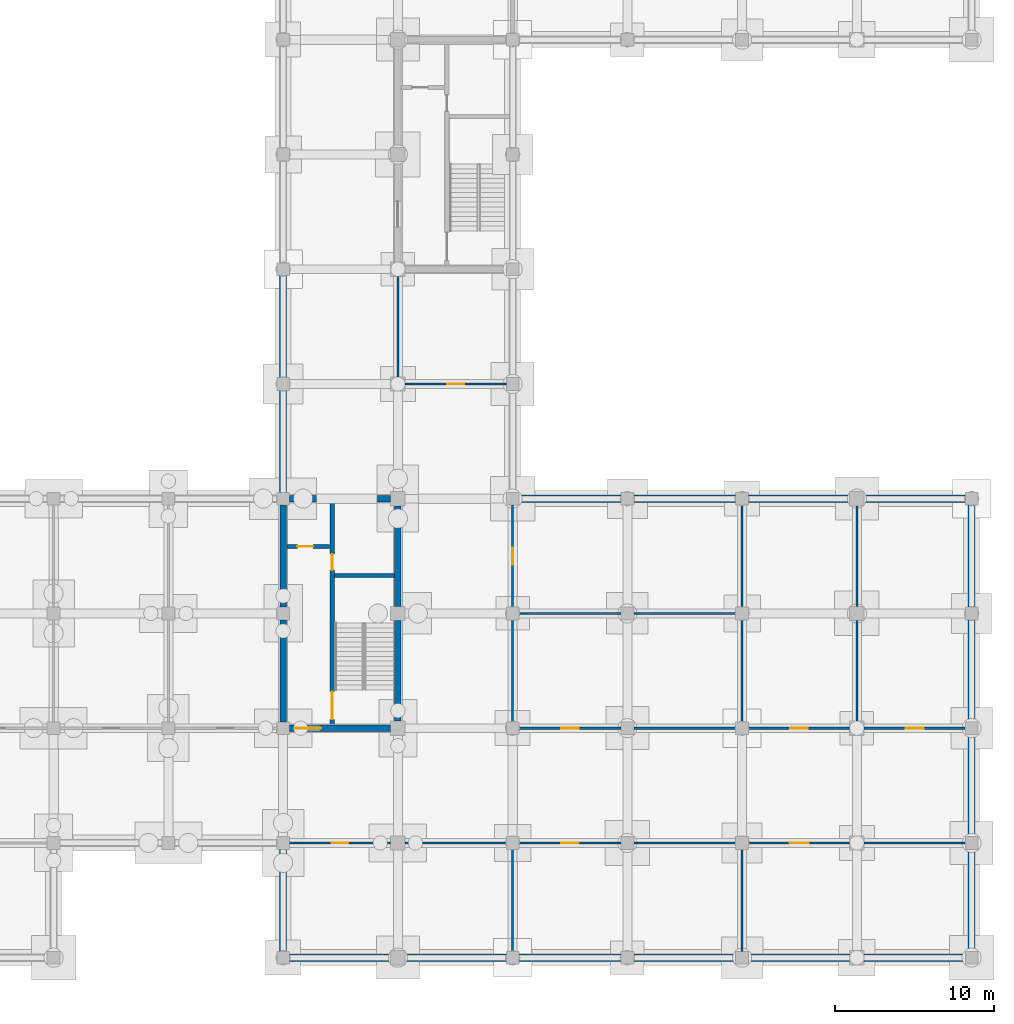
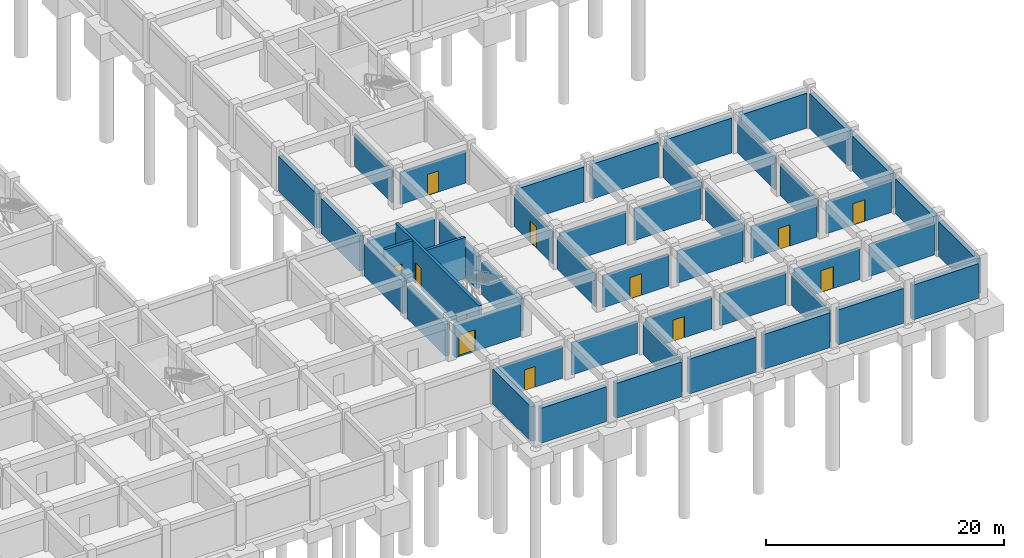
# One storey, part 21 of 25: 48 walls, 12 doors, 12 openings.
"""IFC4 building model written with IfcOpenShell, lengths in metres."""

from ifc_helpers import new_model, si_unit, direction, frame, frame_2d, origin, place, context, subcontext, project, spatial, rectangle, extrude, material, layer, layer_set, type_object, element, fill, save


model = new_model("IFC4")

# Units and contexts
model_context = context("Model", 3, precision=1e-05, world=origin(), true_north=direction((0.0, 1.0)))
body_context = subcontext(model_context, "Body", "Model", "MODEL_VIEW")
ifc_project = project(units=[si_unit("LENGTHUNIT", "METRE"), si_unit("AREAUNIT", "SQUARE_METRE"), si_unit("VOLUMEUNIT", "CUBIC_METRE"), si_unit("PLANEANGLEUNIT", "RADIAN"), si_unit("MASSUNIT", "GRAM", prefix="KILO")], contexts=[model_context])

# Site, building, storey
site_placement = place(None, origin())
site = spatial("IfcSite", under=ifc_project, at=site_placement, CompositionType="ELEMENT")
building_placement = place(site_placement, origin())
building = spatial("IfcBuilding", under=site, at=building_placement, Name="Cendaluz Park School", CompositionType="ELEMENT")
storey_placement = place(building_placement, frame((0.0, 0.0, -4.5)))
storey = spatial("IfcBuildingStorey", under=building, at=storey_placement, Name="B1", CompositionType="ELEMENT", Elevation=-4.5)

# Wall, openings, doors
ifc_material_1 = material(Name="Concrete C40/50", Category="concrete")
ifc_layer_1 = layer(ifc_material_1, 0.280029296875)
ifc_layer_set_1 = layer_set([ifc_layer_1], Name="Concrete C40/50")
wall_type_1 = type_object("IfcWallType", Name="W-FW28", PredefinedType="SHEAR", material=ifc_layer_set_1)
wall_1_placement = place(storey_placement, frame((132.679931640625, 14.60009765625, 0.0), z_axis=(0.0, 0.0, 1.0), x_axis=(0.0, 1.0, 0.0)))
wall_1 = element("IfcWall", 1, at=wall_1_placement, inside=storey, type_object=wall_type_1, Name="WL-BA-BV9", PredefinedType="SHEAR", context=body_context, shape_type="SweptSolid", body=[
    extrude(rectangle(XDim=14.0, YDim=0.280029296875, at=frame_2d((7.0, 0.0))), origin(), (0.0, 0.0, 1.0), 4.199951171875),
])
opening_1_placement = place(wall_1_placement, frame((0.35009765625, 0.0, 0.0)))
opening_1 = element("IfcOpeningElement", 2, at=opening_1_placement, cuts=wall_1, Name="Opening DST-03", PredefinedType="OPENING", context=body_context, shape_type="SweptSolid", body=[
    extrude(rectangle(XDim=1.75, YDim=2.14990234375, at=frame_2d((0.875, 1.074951171875))), frame((0.0, 0.152099609375, 0.0), z_axis=(0.0, -1.0, 0.0), x_axis=(1.0, 0.0, 0.0)), (0.0, 0.0, 1.0), 0.303955078125),
])
opening_2_placement = place(wall_1_placement, frame((9.719970703125, 0.0, 0.0)))
opening_2 = element("IfcOpeningElement", 3, at=opening_2_placement, cuts=wall_1, Name="Opening DFC-01", PredefinedType="OPENING", context=body_context, shape_type="SweptSolid", body=[
    extrude(rectangle(XDim=1.0, YDim=2.14990234375, at=frame_2d((0.5, 1.074951171875))), frame((0.0, 0.152099609375, 0.0), z_axis=(0.0, -1.0, 0.0), x_axis=(1.0, 0.0, 0.0)), (0.0, 0.0, 1.0), 0.303955078125),
])
ifc_material_2 = material(Name="Solid Core Hardwood", Category="wood")
door_type_1 = type_object("IfcDoorType", Name="DFC-01", OperationType="NOTDEFINED", PredefinedType="DOOR", material=ifc_material_2)
door_1_placement = place(opening_2_placement, frame((1.0, 0.0, 0.0), z_axis=(0.0, 0.0, 1.0), x_axis=(-1.0, 0.0, 0.0)))
door_1 = element("IfcDoor", 4, at=door_1_placement, inside=storey, type_object=door_type_1, Name="D-B1-025", OperationType="SINGLE_SWING_LEFT", OverallHeight=2.14990234375, OverallWidth=1.0, PredefinedType="DOOR", context=body_context, shape_type="SweptSolid", body=[
    extrude(rectangle(XDim=1.0, YDim=2.14990234375, at=frame_2d((0.5, 1.074951171875))), frame((0.0, 0.02490234375, 0.0), z_axis=(0.0, -1.0, 0.0), x_axis=(1.0, 0.0, 0.0)), (0.0, 0.0, 1.0), 0.050048828125),
])
fill(opening_2, door_1)
door_type_2 = type_object("IfcDoorType", Name="DST-03", OperationType="DOUBLE_DOOR_SINGLE_SWING", PredefinedType="DOOR", material=ifc_material_2)
door_2_placement = place(opening_1_placement, frame((1.75, 0.0, 0.0), z_axis=(0.0, 0.0, 1.0), x_axis=(-1.0, 0.0, 0.0)))
door_2 = element("IfcDoor", 5, at=door_2_placement, inside=storey, type_object=door_type_2, Name="D-B1-024", OperationType="DOUBLE_DOOR_SINGLE_SWING", OverallHeight=2.14990234375, OverallWidth=1.75, PredefinedType="DOOR", context=body_context, shape_type="SweptSolid", body=[
    extrude(rectangle(XDim=1.75, YDim=2.14990234375, at=frame_2d((0.875, 1.074951171875))), frame((0.0, 0.02490234375, 0.0), z_axis=(0.0, -1.0, 0.0), x_axis=(1.0, 0.0, 0.0)), (0.0, 0.0, 1.0), 0.050048828125),
])
fill(opening_1, door_2)

# Wall
wall_2_placement = place(storey_placement, frame((132.820068359375, 23.97998046875, 0.0), z_axis=(0.0, 0.0, 1.0), x_axis=(1.0, 0.0, 0.0)))
element("IfcWall", 6, at=wall_2_placement, inside=storey, type_object=wall_type_1, Name="WL-BA-BW0", PredefinedType="SHEAR", context=body_context, shape_type="SweptSolid", body=[
    extrude(rectangle(XDim=3.780029296875, YDim=0.280029296875, at=frame_2d((1.89013671875, 0.0))), origin(), (0.0, 0.0, 1.0), 4.199951171875),
])

# Wall, opening, door
wall_3_placement = place(storey_placement, frame((129.840087890625, 25.800048828125, 0.0), z_axis=(0.0, 0.0, 1.0), x_axis=(1.0, 0.0, 0.0)))
wall_3 = element("IfcWall", 7, at=wall_3_placement, inside=storey, type_object=wall_type_1, Name="WL-BA-BW1", PredefinedType="SHEAR", context=body_context, shape_type="SweptSolid", body=[
    extrude(rectangle(XDim=2.679931640625, YDim=0.280029296875, at=frame_2d((1.33984375, 0.0))), origin(), (0.0, 0.0, 1.0), 4.199951171875),
])
opening_3_placement = place(wall_3_placement, frame((0.64990234375, 0.0, 0.0)))
opening_3 = element("IfcOpeningElement", 8, at=opening_3_placement, cuts=wall_3, Name="Opening DFC-01", PredefinedType="OPENING", context=body_context, shape_type="SweptSolid", body=[
    extrude(rectangle(XDim=1.0, YDim=2.14990234375, at=frame_2d((0.5, 1.074951171875))), frame((0.0, 0.152099609375, 0.0), z_axis=(0.0, -1.0, 0.0), x_axis=(1.0, 0.0, 0.0)), (0.0, 0.0, 1.0), 0.303955078125),
])
door_3_placement = place(opening_3_placement, frame((1.0, 0.0, 0.0), z_axis=(0.0, 0.0, 1.0), x_axis=(-1.0, 0.0, 0.0)))
door_3 = element("IfcDoor", 9, at=door_3_placement, inside=storey, type_object=door_type_1, Name="D-B1-026", OperationType="SINGLE_SWING_RIGHT", OverallHeight=2.14990234375, OverallWidth=1.0, PredefinedType="DOOR", context=body_context, shape_type="SweptSolid", body=[
    extrude(rectangle(XDim=1.0, YDim=2.14990234375, at=frame_2d((0.5, 1.074951171875))), frame((0.0, 0.02490234375, 0.0), z_axis=(0.0, -1.0, 0.0), x_axis=(1.0, 0.0, 0.0)), (0.0, 0.0, 1.0), 0.050048828125),
])
fill(opening_3, door_3)

# Walls
ifc_layer_2 = layer(ifc_material_1, 0.449951171875)
ifc_layer_set_2 = layer_set([ifc_layer_2], Name="Concrete C40/50")
wall_type_2 = type_object("IfcWallType", Name="W-RT45", PredefinedType="SOLIDWALL", material=ifc_layer_set_2)
wall_4_placement = place(storey_placement, frame((130.0, 0.0, 0.0), z_axis=(0.0, 0.0, 1.0), x_axis=(1.0, 0.0, 0.0)))
element("IfcWall", 10, at=wall_4_placement, inside=storey, type_object=wall_type_2, Name="WL-BA-AI1", PredefinedType="SOLIDWALL", context=body_context, shape_type="SweptSolid", body=[
    extrude(rectangle(XDim=6.35009765625, YDim=0.449951171875, at=frame_2d((3.175048828125, 0.0))), origin(), (0.0, 0.0, 1.0), 3.570068359375),
])
for number, where, z_axis, x_axis, name in (
    (11, (129.60009765625, 0.39990234375, 0.0), (0.0, 0.0, 1.0), (0.0, 1.0, 0.0), "WL-BA-AI2"),
    (12, (129.60009765625, 29.199951171875, 0.0), (0.0, 0.0, 1.0), (0.0, 1.0, 0.0), "WL-BA-AI3"),
    (13, (129.60009765625, 36.39990234375, 0.0), (0.0, 0.0, 1.0), (0.0, 1.0, 0.0), "WL-BA-AI4"),
):
    element("IfcWall", number, at=place(storey_placement, frame(where, z_axis=z_axis, x_axis=x_axis)), inside=storey, type_object=wall_type_2, Name=name, PredefinedType="SOLIDWALL", context=body_context, shape_type="SweptSolid", body=[
        extrude(rectangle(XDim=6.400146484375, YDim=0.449951171875, at=frame_2d((3.2001953125, 0.0))), origin(), (0.0, 0.0, 1.0), 3.570068359375),
    ])
wall_5_placement = place(storey_placement, frame((137.25, 0.0, 0.0), z_axis=(0.0, 0.0, 1.0), x_axis=(1.0, 0.0, 0.0)))
element("IfcWall", 14, at=wall_5_placement, inside=storey, type_object=wall_type_2, Name="WL-BA-AJ6", PredefinedType="SOLIDWALL", context=body_context, shape_type="SweptSolid", body=[
    extrude(rectangle(XDim=6.35009765625, YDim=0.449951171875, at=frame_2d((3.175048828125, 0.0))), origin(), (0.0, 0.0, 1.0), 3.570068359375),
])
for number, where, z_axis, x_axis, name in (
    (15, (144.39990234375, 0.0, 0.0), (0.0, 0.0, 1.0), (1.0, 0.0, 0.0), "WL-BA-AK0"),
    (16, (144.39990234375, 28.800048828125, 0.0), (0.0, 0.0, 1.0), (1.0, 0.0, 0.0), "WL-BA-AK1"),
):
    element("IfcWall", number, at=place(storey_placement, frame(where, z_axis=z_axis, x_axis=x_axis)), inside=storey, type_object=wall_type_2, Name=name, PredefinedType="SOLIDWALL", context=body_context, shape_type="SweptSolid", body=[
        extrude(rectangle(XDim=6.400146484375, YDim=0.449951171875, at=frame_2d((3.2001953125, 0.0))), origin(), (0.0, 0.0, 1.0), 3.570068359375),
    ])
for number, where, z_axis, x_axis, name in (
    (17, (151.60009765625, 0.0, 0.0), (0.0, 0.0, 1.0), (1.0, 0.0, 0.0), "WL-BA-AK4"),
    (18, (151.60009765625, 28.800048828125, 0.0), (0.0, 0.0, 1.0), (1.0, 0.0, 0.0), "WL-BA-AK5"),
):
    element("IfcWall", number, at=place(storey_placement, frame(where, z_axis=z_axis, x_axis=x_axis)), inside=storey, type_object=wall_type_2, Name=name, PredefinedType="SOLIDWALL", context=body_context, shape_type="SweptSolid", body=[
        extrude(rectangle(XDim=6.39990234375, YDim=0.449951171875, at=frame_2d((3.199951171875, 0.0))), origin(), (0.0, 0.0, 1.0), 3.570068359375),
    ])
for number, where, z_axis, x_axis, name in (
    (19, (158.800048828125, 0.0, 0.0), (0.0, 0.0, 1.0), (1.0, 0.0, 0.0), "WL-BA-AK8"),
    (20, (158.800048828125, 28.800048828125, 0.0), (0.0, 0.0, 1.0), (1.0, 0.0, 0.0), "WL-BA-AK9"),
    (21, (166.050048828125, 0.0, 0.0), (0.0, 0.0, 1.0), (1.0, 0.0, 0.0), "WL-BA-AL2"),
):
    element("IfcWall", number, at=place(storey_placement, frame(where, z_axis=z_axis, x_axis=x_axis)), inside=storey, type_object=wall_type_2, Name=name, PredefinedType="SOLIDWALL", context=body_context, shape_type="SweptSolid", body=[
        extrude(rectangle(XDim=6.349853515625, YDim=0.449951171875, at=frame_2d((3.1748046875, 0.0))), origin(), (0.0, 0.0, 1.0), 3.570068359375),
    ])
wall_6_placement = place(storey_placement, frame((172.800048828125, 0.39990234375, 0.0), z_axis=(0.0, 0.0, 1.0), x_axis=(0.0, 1.0, 0.0)))
element("IfcWall", 22, at=wall_6_placement, inside=storey, type_object=wall_type_2, Name="WL-BA-AL3", PredefinedType="SOLIDWALL", context=body_context, shape_type="SweptSolid", body=[
    extrude(rectangle(XDim=6.400146484375, YDim=0.449951171875, at=frame_2d((3.2001953125, 0.0))), origin(), (0.0, 0.0, 1.0), 3.570068359375),
])
for number, where, z_axis, x_axis, name in (
    (23, (172.800048828125, 7.60009765625, 0.0), (0.0, 0.0, 1.0), (0.0, 1.0, 0.0), "WL-BA-AL4"),
    (24, (172.800048828125, 14.800048828125, 0.0), (0.0, 0.0, 1.0), (0.0, 1.0, 0.0), "WL-BA-AL5"),
):
    element("IfcWall", number, at=place(storey_placement, frame(where, z_axis=z_axis, x_axis=x_axis)), inside=storey, type_object=wall_type_2, Name=name, PredefinedType="SOLIDWALL", context=body_context, shape_type="SweptSolid", body=[
        extrude(rectangle(XDim=6.39990234375, YDim=0.449951171875, at=frame_2d((3.199951171875, 0.0))), origin(), (0.0, 0.0, 1.0), 3.570068359375),
    ])
wall_7_placement = place(storey_placement, frame((166.050048828125, 28.800048828125, 0.0), z_axis=(0.0, 0.0, 1.0), x_axis=(1.0, 0.0, 0.0)))
element("IfcWall", 25, at=wall_7_placement, inside=storey, type_object=wall_type_2, Name="WL-BA-AL6", PredefinedType="SOLIDWALL", context=body_context, shape_type="SweptSolid", body=[
    extrude(rectangle(XDim=6.349853515625, YDim=0.449951171875, at=frame_2d((3.1748046875, 0.0))), origin(), (0.0, 0.0, 1.0), 3.570068359375),
])
wall_8_placement = place(storey_placement, frame((172.800048828125, 22.0, 0.0), z_axis=(0.0, 0.0, 1.0), x_axis=(0.0, 1.0, 0.0)))
element("IfcWall", 26, at=wall_8_placement, inside=storey, type_object=wall_type_2, Name="WL-BA-AL7", PredefinedType="SOLIDWALL", context=body_context, shape_type="SweptSolid", body=[
    extrude(rectangle(XDim=6.39990234375, YDim=0.449951171875, at=frame_2d((3.199951171875, 0.0))), origin(), (0.0, 0.0, 1.0), 3.570068359375),
])
ifc_layer_3 = layer(ifc_material_1, 0.419921875)
ifc_layer_set_3 = layer_set([ifc_layer_3], Name="Concrete C40/50")
wall_type_3 = type_object("IfcWallType", Name="W-SH42", PredefinedType="SHEAR", material=ifc_layer_set_3)
for number, where, z_axis, x_axis, name in (
    (27, (129.60009765625, 14.800048828125, 0.0), (0.0, 0.0, 1.0), (0.0, 1.0, 0.0), "WL-BA-BV3"),
    (28, (129.60009765625, 22.0, 0.0), (0.0, 0.0, 1.0), (0.0, 1.0, 0.0), "WL-BA-BV4"),
):
    element("IfcWall", number, at=place(storey_placement, frame(where, z_axis=z_axis, x_axis=x_axis)), inside=storey, type_object=wall_type_3, Name=name, PredefinedType="SHEAR", context=body_context, shape_type="SweptSolid", body=[
        extrude(rectangle(XDim=6.39990234375, YDim=0.419921875, at=frame_2d((3.199951171875, 0.0))), origin(), (0.0, 0.0, 1.0), 3.300048828125),
    ])
wall_9_placement = place(storey_placement, frame((136.800048828125, 14.85009765625, 0.0), z_axis=(0.0, 0.0, 1.0), x_axis=(0.0, 1.0, 0.0)))
element("IfcWall", 29, at=wall_9_placement, inside=storey, type_object=wall_type_3, Name="WL-BA-BV5", PredefinedType="SHEAR", context=body_context, shape_type="SweptSolid", body=[
    extrude(rectangle(XDim=6.2998046875, YDim=0.419921875, at=frame_2d((3.14990234375, 0.0))), origin(), (0.0, 0.0, 1.0), 3.300048828125),
])
wall_10_placement = place(storey_placement, frame((136.800048828125, 22.050048828125, 0.0), z_axis=(0.0, 0.0, 1.0), x_axis=(0.0, 1.0, 0.0)))
element("IfcWall", 30, at=wall_10_placement, inside=storey, type_object=wall_type_3, Name="WL-BA-BV6", PredefinedType="SHEAR", context=body_context, shape_type="SweptSolid", body=[
    extrude(rectangle(XDim=6.300048828125, YDim=0.419921875, at=frame_2d((3.14990234375, 0.0))), origin(), (0.0, 0.0, 1.0), 3.300048828125),
])

# Wall, opening, door
wall_11_placement = place(storey_placement, frame((130.0, 14.39990234375, 0.0), z_axis=(0.0, 0.0, 1.0), x_axis=(1.0, 0.0, 0.0)))
wall_11 = element("IfcWall", 31, at=wall_11_placement, inside=storey, type_object=wall_type_3, Name="WL-BA-BV7", PredefinedType="SHEAR", context=body_context, shape_type="SweptSolid", body=[
    extrude(rectangle(XDim=6.35009765625, YDim=0.419921875, at=frame_2d((3.175048828125, 0.0))), origin(), (0.0, 0.0, 1.0), 3.300048828125),
])
opening_4_placement = place(wall_11_placement, frame((0.3798828125, 0.0, 0.0)))
opening_4 = element("IfcOpeningElement", 32, at=opening_4_placement, cuts=wall_11, Name="Opening DLB-01", PredefinedType="OPENING", context=body_context, shape_type="SweptSolid", body=[
    extrude(rectangle(XDim=1.60009765625, YDim=2.199951171875, at=frame_2d((0.800048828125, 1.10009765625))), frame((0.0, 0.221923828125, 0.0), z_axis=(0.0, -1.0, 0.0), x_axis=(1.0, 0.0, 0.0)), (0.0, 0.0, 1.0), 0.44384765625),
])
door_type_3 = type_object("IfcDoorType", Name="DLB-01", OperationType="DOUBLE_DOOR_SINGLE_SWING", PredefinedType="DOOR", material=ifc_material_2)
door_4_placement = place(opening_4_placement, origin())
door_4 = element("IfcDoor", 33, at=door_4_placement, inside=storey, type_object=door_type_3, Name="D-B1-023", OperationType="DOUBLE_DOOR_SINGLE_SWING", OverallHeight=2.199951171875, OverallWidth=1.60009765625, PredefinedType="DOOR", context=body_context, shape_type="SweptSolid", body=[
    extrude(rectangle(XDim=1.60009765625, YDim=2.199951171875, at=frame_2d((0.800048828125, 1.10009765625))), frame((0.0, 0.02490234375, 0.0), z_axis=(0.0, -1.0, 0.0), x_axis=(1.0, 0.0, 0.0)), (0.0, 0.0, 1.0), 0.050048828125),
])
fill(opening_4, door_4)

# Walls
wall_12_placement = place(storey_placement, frame((130.0, 28.800048828125, 0.0), z_axis=(0.0, 0.0, 1.0), x_axis=(1.0, 0.0, 0.0)))
element("IfcWall", 34, at=wall_12_placement, inside=storey, type_object=wall_type_3, Name="WL-BA-BV8", PredefinedType="SHEAR", context=body_context, shape_type="SweptSolid", body=[
    extrude(rectangle(XDim=6.35009765625, YDim=0.419921875, at=frame_2d((3.175048828125, 0.0))), origin(), (0.0, 0.0, 1.0), 3.300048828125),
])
ifc_material_3 = material(Name="Gypsum Plasterboard on Cold-Formed Stud", Category="gypsum")
ifc_layer_4 = layer(ifc_material_3, 0.139892578125)
ifc_layer_set_4 = layer_set([ifc_layer_4], Name="Gypsum Plasterboard on Cold-Formed Stud")
wall_type_4 = type_object("IfcWallType", Name="W-ST14", PredefinedType="PARTITIONING", material=ifc_layer_set_4)
wall_13_placement = place(storey_placement, frame((144.39990234375, 21.60009765625, 0.0), z_axis=(0.0, 0.0, 1.0), x_axis=(1.0, 0.0, 0.0)))
element("IfcWall", 35, at=wall_13_placement, inside=storey, type_object=wall_type_4, Name="WL-BA-CH8", PredefinedType="PARTITIONING", context=body_context, shape_type="SweptSolid", body=[
    extrude(rectangle(XDim=6.400146484375, YDim=0.139892578125, at=frame_2d((3.2001953125, 0.0))), origin(), (0.0, 0.0, 1.0), 3.300048828125),
])

# Wall, opening, door
wall_14_placement = place(storey_placement, frame((144.0, 22.0, 0.0), z_axis=(0.0, 0.0, 1.0), x_axis=(0.0, 1.0, 0.0)))
wall_14 = element("IfcWall", 36, at=wall_14_placement, inside=storey, type_object=wall_type_4, Name="WL-BA-CH9", PredefinedType="PARTITIONING", context=body_context, shape_type="SweptSolid", body=[
    extrude(rectangle(XDim=6.39990234375, YDim=0.139892578125, at=frame_2d((3.199951171875, 0.0))), origin(), (0.0, 0.0, 1.0), 3.300048828125),
])
opening_5_placement = place(wall_14_placement, frame((2.669921875, 0.0, 0.0)))
opening_5 = element("IfcOpeningElement", 37, at=opening_5_placement, cuts=wall_14, Name="Opening DCL-04", PredefinedType="OPENING", context=body_context, shape_type="SweptSolid", body=[
    extrude(rectangle(XDim=1.06005859375, YDim=2.159912109375, at=frame_2d((0.530029296875, 1.080078125))), frame((0.0, 0.08203125, 0.0), z_axis=(0.0, -1.0, 0.0), x_axis=(1.0, 0.0, 0.0)), (0.0, 0.0, 1.0), 0.163818359375),
])
door_type_4 = type_object("IfcDoorType", Name="DCL-04", OperationType="NOTDEFINED", PredefinedType="DOOR", material=ifc_material_2)
door_5_placement = place(opening_5_placement, frame((1.06005859375, 0.0, 0.0), z_axis=(0.0, 0.0, 1.0), x_axis=(-1.0, 0.0, 0.0)))
door_5 = element("IfcDoor", 38, at=door_5_placement, inside=storey, type_object=door_type_4, Name="D-B1-058", OperationType="SINGLE_SWING_LEFT", OverallHeight=2.159912109375, OverallWidth=1.06005859375, PredefinedType="DOOR", context=body_context, shape_type="SweptSolid", body=[
    extrude(rectangle(XDim=1.06005859375, YDim=2.159912109375, at=frame_2d((0.530029296875, 1.080078125))), frame((0.0, 0.02490234375, 0.0), z_axis=(0.0, -1.0, 0.0), x_axis=(1.0, 0.0, 0.0)), (0.0, 0.0, 1.0), 0.050048828125),
])
fill(opening_5, door_5)

# Walls
for number, where, z_axis, x_axis, name in (
    (39, (151.60009765625, 21.60009765625, 0.0), (0.0, 0.0, 1.0), (1.0, 0.0, 0.0), "WL-BA-CI0"),
    (40, (158.39990234375, 22.0, 0.0), (0.0, 0.0, 1.0), (0.0, 1.0, 0.0), "WL-BA-CI1"),
):
    element("IfcWall", number, at=place(storey_placement, frame(where, z_axis=z_axis, x_axis=x_axis)), inside=storey, type_object=wall_type_4, Name=name, PredefinedType="PARTITIONING", context=body_context, shape_type="SweptSolid", body=[
        extrude(rectangle(XDim=6.39990234375, YDim=0.139892578125, at=frame_2d((3.199951171875, 0.0))), origin(), (0.0, 0.0, 1.0), 3.300048828125),
    ])

# Wall, opening, door
wall_15_placement = place(storey_placement, frame((158.800048828125, 14.39990234375, 0.0), z_axis=(0.0, 0.0, 1.0), x_axis=(1.0, 0.0, 0.0)))
wall_15 = element("IfcWall", 41, at=wall_15_placement, inside=storey, type_object=wall_type_4, Name="WL-BA-CI2", PredefinedType="PARTITIONING", context=body_context, shape_type="SweptSolid", body=[
    extrude(rectangle(XDim=6.349853515625, YDim=0.139892578125, at=frame_2d((3.1748046875, 0.0))), origin(), (0.0, 0.0, 1.0), 3.300048828125),
])
opening_6_placement = place(wall_15_placement, frame((2.635009765625, 0.0, 0.0)))
opening_6 = element("IfcOpeningElement", 42, at=opening_6_placement, cuts=wall_15, Name="Opening DCL-05", PredefinedType="OPENING", context=body_context, shape_type="SweptSolid", body=[
    extrude(rectangle(XDim=1.080078125, YDim=2.179931640625, at=frame_2d((0.5400390625, 1.08984375))), frame((0.0, 0.08203125, 0.0), z_axis=(0.0, -1.0, 0.0), x_axis=(1.0, 0.0, 0.0)), (0.0, 0.0, 1.0), 0.163818359375),
])
door_type_5 = type_object("IfcDoorType", Name="DCL-05", OperationType="NOTDEFINED", PredefinedType="DOOR", material=ifc_material_2)
door_6_placement = place(opening_6_placement, origin())
door_6 = element("IfcDoor", 43, at=door_6_placement, inside=storey, type_object=door_type_5, Name="D-B1-059", OperationType="SINGLE_SWING_RIGHT", OverallHeight=2.179931640625, OverallWidth=1.080078125, PredefinedType="DOOR", context=body_context, shape_type="SweptSolid", body=[
    extrude(rectangle(XDim=1.080078125, YDim=2.179931640625, at=frame_2d((0.5400390625, 1.08984375))), frame((0.0, 0.02490234375, 0.0), z_axis=(0.0, -1.0, 0.0), x_axis=(1.0, 0.0, 0.0)), (0.0, 0.0, 1.0), 0.050048828125),
])
fill(opening_6, door_6)

# Walls
wall_16_placement = place(storey_placement, frame((158.39990234375, 14.800048828125, 0.0), z_axis=(0.0, 0.0, 1.0), x_axis=(0.0, 1.0, 0.0)))
element("IfcWall", 44, at=wall_16_placement, inside=storey, type_object=wall_type_4, Name="WL-BA-CI3", PredefinedType="PARTITIONING", context=body_context, shape_type="SweptSolid", body=[
    extrude(rectangle(XDim=6.39990234375, YDim=0.139892578125, at=frame_2d((3.199951171875, 0.0))), origin(), (0.0, 0.0, 1.0), 3.300048828125),
])
wall_17_placement = place(storey_placement, frame((165.60009765625, 14.85009765625, 0.0), z_axis=(0.0, 0.0, 1.0), x_axis=(0.0, 1.0, 0.0)))
element("IfcWall", 45, at=wall_17_placement, inside=storey, type_object=wall_type_4, Name="WL-BA-CI4", PredefinedType="PARTITIONING", context=body_context, shape_type="SweptSolid", body=[
    extrude(rectangle(XDim=6.2998046875, YDim=0.139892578125, at=frame_2d((3.14990234375, 0.0))), origin(), (0.0, 0.0, 1.0), 3.300048828125),
])
wall_18_placement = place(storey_placement, frame((165.60009765625, 22.050048828125, 0.0), z_axis=(0.0, 0.0, 1.0), x_axis=(0.0, 1.0, 0.0)))
element("IfcWall", 46, at=wall_18_placement, inside=storey, type_object=wall_type_4, Name="WL-BA-CI5", PredefinedType="PARTITIONING", context=body_context, shape_type="SweptSolid", body=[
    extrude(rectangle(XDim=6.300048828125, YDim=0.139892578125, at=frame_2d((3.14990234375, 0.0))), origin(), (0.0, 0.0, 1.0), 3.300048828125),
])

# Wall, opening, door
wall_19_placement = place(storey_placement, frame((166.050048828125, 14.39990234375, 0.0), z_axis=(0.0, 0.0, 1.0), x_axis=(1.0, 0.0, 0.0)))
wall_19 = element("IfcWall", 47, at=wall_19_placement, inside=storey, type_object=wall_type_4, Name="WL-BA-CI6", PredefinedType="PARTITIONING", context=body_context, shape_type="SweptSolid", body=[
    extrude(rectangle(XDim=6.349853515625, YDim=0.139892578125, at=frame_2d((3.1748046875, 0.0))), origin(), (0.0, 0.0, 1.0), 3.300048828125),
])
opening_7_placement = place(wall_19_placement, frame((2.614990234375, 0.0, 0.0)))
opening_7 = element("IfcOpeningElement", 48, at=opening_7_placement, cuts=wall_19, Name="Opening DCL-06", PredefinedType="OPENING", context=body_context, shape_type="SweptSolid", body=[
    extrude(rectangle(XDim=1.1201171875, YDim=2.199951171875, at=frame_2d((0.56005859375, 1.10009765625))), frame((0.0, 0.08203125, 0.0), z_axis=(0.0, -1.0, 0.0), x_axis=(1.0, 0.0, 0.0)), (0.0, 0.0, 1.0), 0.163818359375),
])
door_type_6 = type_object("IfcDoorType", Name="DCL-06", OperationType="NOTDEFINED", PredefinedType="DOOR", material=ifc_material_2)
door_7_placement = place(opening_7_placement, origin())
door_7 = element("IfcDoor", 49, at=door_7_placement, inside=storey, type_object=door_type_6, Name="D-B1-060", OperationType="SINGLE_SWING_LEFT", OverallHeight=2.199951171875, OverallWidth=1.1201171875, PredefinedType="DOOR", context=body_context, shape_type="SweptSolid", body=[
    extrude(rectangle(XDim=1.1201171875, YDim=2.199951171875, at=frame_2d((0.56005859375, 1.10009765625))), frame((0.0, 0.02490234375, 0.0), z_axis=(0.0, -1.0, 0.0), x_axis=(1.0, 0.0, 0.0)), (0.0, 0.0, 1.0), 0.050048828125),
])
fill(opening_7, door_7)

wall_20_placement = place(storey_placement, frame((130.0, 7.199951171875, 0.0), z_axis=(0.0, 0.0, 1.0), x_axis=(1.0, 0.0, 0.0)))
wall_20 = element("IfcWall", 50, at=wall_20_placement, inside=storey, type_object=wall_type_4, Name="WL-BA-CP1", PredefinedType="PARTITIONING", context=body_context, shape_type="SweptSolid", body=[
    extrude(rectangle(XDim=6.35009765625, YDim=0.139892578125, at=frame_2d((3.175048828125, 0.0))), origin(), (0.0, 0.0, 1.0), 3.300048828125),
])
opening_8_placement = place(wall_20_placement, frame((2.6650390625, 0.0, 0.0)))
opening_8 = element("IfcOpeningElement", 51, at=opening_8_placement, cuts=wall_20, Name="Opening DCL-02", PredefinedType="OPENING", context=body_context, shape_type="SweptSolid", body=[
    extrude(rectangle(XDim=1.02001953125, YDim=2.1201171875, at=frame_2d((0.510009765625, 1.06005859375))), frame((0.0, 0.08203125, 0.0), z_axis=(0.0, -1.0, 0.0), x_axis=(1.0, 0.0, 0.0)), (0.0, 0.0, 1.0), 0.163818359375),
])
door_type_7 = type_object("IfcDoorType", Name="DCL-02", OperationType="NOTDEFINED", PredefinedType="DOOR", material=ifc_material_2)
door_8_placement = place(opening_8_placement, frame((1.02001953125, 0.0, 0.0), z_axis=(0.0, 0.0, 1.0), x_axis=(-1.0, 0.0, 0.0)))
door_8 = element("IfcDoor", 52, at=door_8_placement, inside=storey, type_object=door_type_7, Name="D-B1-086", OperationType="SINGLE_SWING_LEFT", OverallHeight=2.1201171875, OverallWidth=1.02001953125, PredefinedType="DOOR", context=body_context, shape_type="SweptSolid", body=[
    extrude(rectangle(XDim=1.02001953125, YDim=2.1201171875, at=frame_2d((0.510009765625, 1.06005859375))), frame((0.0, 0.02490234375, 0.0), z_axis=(0.0, -1.0, 0.0), x_axis=(1.0, 0.0, 0.0)), (0.0, 0.0, 1.0), 0.050048828125),
])
fill(opening_8, door_8)

# Walls
wall_21_placement = place(storey_placement, frame((137.25, 7.199951171875, 0.0), z_axis=(0.0, 0.0, 1.0), x_axis=(1.0, 0.0, 0.0)))
element("IfcWall", 53, at=wall_21_placement, inside=storey, type_object=wall_type_4, Name="WL-BA-CP2", PredefinedType="PARTITIONING", context=body_context, shape_type="SweptSolid", body=[
    extrude(rectangle(XDim=6.35009765625, YDim=0.139892578125, at=frame_2d((3.175048828125, 0.0))), origin(), (0.0, 0.0, 1.0), 3.300048828125),
])
wall_22_placement = place(storey_placement, frame((144.0, 0.39990234375, 0.0), z_axis=(0.0, 0.0, 1.0), x_axis=(0.0, 1.0, 0.0)))
element("IfcWall", 54, at=wall_22_placement, inside=storey, type_object=wall_type_4, Name="WL-BA-CP3", PredefinedType="PARTITIONING", context=body_context, shape_type="SweptSolid", body=[
    extrude(rectangle(XDim=6.400146484375, YDim=0.139892578125, at=frame_2d((3.2001953125, 0.0))), origin(), (0.0, 0.0, 1.0), 3.300048828125),
])

# Wall, opening, door
wall_23_placement = place(storey_placement, frame((137.25, 36.0, 0.0), z_axis=(0.0, 0.0, 1.0), x_axis=(1.0, 0.0, 0.0)))
wall_23 = element("IfcWall", 55, at=wall_23_placement, inside=storey, type_object=wall_type_4, Name="WL-BA-CP7", PredefinedType="PARTITIONING", context=body_context, shape_type="SweptSolid", body=[
    extrude(rectangle(XDim=6.35009765625, YDim=0.139892578125, at=frame_2d((3.175048828125, 0.0))), origin(), (0.0, 0.0, 1.0), 3.300048828125),
])
opening_9_placement = place(wall_23_placement, frame((2.64501953125, 0.0, 0.0)))
opening_9 = element("IfcOpeningElement", 56, at=opening_9_placement, cuts=wall_23, Name="Opening DCL-04", PredefinedType="OPENING", context=body_context, shape_type="SweptSolid", body=[
    extrude(rectangle(XDim=1.06005859375, YDim=2.159912109375, at=frame_2d((0.530029296875, 1.080078125))), frame((0.0, 0.08203125, 0.0), z_axis=(0.0, -1.0, 0.0), x_axis=(1.0, 0.0, 0.0)), (0.0, 0.0, 1.0), 0.163818359375),
])
door_9_placement = place(opening_9_placement, origin())
door_9 = element("IfcDoor", 57, at=door_9_placement, inside=storey, type_object=door_type_4, Name="D-B1-088", OperationType="SINGLE_SWING_LEFT", OverallHeight=2.159912109375, OverallWidth=1.06005859375, PredefinedType="DOOR", context=body_context, shape_type="SweptSolid", body=[
    extrude(rectangle(XDim=1.06005859375, YDim=2.159912109375, at=frame_2d((0.530029296875, 1.080078125))), frame((0.0, 0.02490234375, 0.0), z_axis=(0.0, -1.0, 0.0), x_axis=(1.0, 0.0, 0.0)), (0.0, 0.0, 1.0), 0.050048828125),
])
fill(opening_9, door_9)

# Wall
wall_24_placement = place(storey_placement, frame((136.800048828125, 36.449951171875, 0.0), z_axis=(0.0, 0.0, 1.0), x_axis=(0.0, 1.0, 0.0)))
element("IfcWall", 58, at=wall_24_placement, inside=storey, type_object=wall_type_4, Name="WL-BA-CP8", PredefinedType="PARTITIONING", context=body_context, shape_type="SweptSolid", body=[
    extrude(rectangle(XDim=6.300048828125, YDim=0.139892578125, at=frame_2d((3.14990234375, 0.0))), origin(), (0.0, 0.0, 1.0), 3.300048828125),
])

# Wall, opening, door
wall_25_placement = place(storey_placement, frame((144.39990234375, 7.199951171875, 0.0), z_axis=(0.0, 0.0, 1.0), x_axis=(1.0, 0.0, 0.0)))
wall_25 = element("IfcWall", 59, at=wall_25_placement, inside=storey, type_object=wall_type_4, Name="WL-BA-CP9", PredefinedType="PARTITIONING", context=body_context, shape_type="SweptSolid", body=[
    extrude(rectangle(XDim=6.400146484375, YDim=0.139892578125, at=frame_2d((3.2001953125, 0.0))), origin(), (0.0, 0.0, 1.0), 3.300048828125),
])
opening_10_placement = place(wall_25_placement, frame((2.659912109375, 0.0, 0.0)))
opening_10 = element("IfcOpeningElement", 60, at=opening_10_placement, cuts=wall_25, Name="Opening DCL-05", PredefinedType="OPENING", context=body_context, shape_type="SweptSolid", body=[
    extrude(rectangle(XDim=1.080078125, YDim=2.179931640625, at=frame_2d((0.5400390625, 1.08984375))), frame((0.0, 0.08203125, 0.0), z_axis=(0.0, -1.0, 0.0), x_axis=(1.0, 0.0, 0.0)), (0.0, 0.0, 1.0), 0.163818359375),
])
door_10_placement = place(opening_10_placement, frame((1.080078125, 0.0, 0.0), z_axis=(0.0, 0.0, 1.0), x_axis=(-1.0, 0.0, 0.0)))
door_10 = element("IfcDoor", 61, at=door_10_placement, inside=storey, type_object=door_type_5, Name="D-B1-089", OperationType="SINGLE_SWING_RIGHT", OverallHeight=2.179931640625, OverallWidth=1.080078125, PredefinedType="DOOR", context=body_context, shape_type="SweptSolid", body=[
    extrude(rectangle(XDim=1.080078125, YDim=2.179931640625, at=frame_2d((0.5400390625, 1.08984375))), frame((0.0, 0.02490234375, 0.0), z_axis=(0.0, -1.0, 0.0), x_axis=(1.0, 0.0, 0.0)), (0.0, 0.0, 1.0), 0.050048828125),
])
fill(opening_10, door_10)

# Walls
wall_26_placement = place(storey_placement, frame((151.60009765625, 7.199951171875, 0.0), z_axis=(0.0, 0.0, 1.0), x_axis=(1.0, 0.0, 0.0)))
element("IfcWall", 62, at=wall_26_placement, inside=storey, type_object=wall_type_4, Name="WL-BA-CQ0", PredefinedType="PARTITIONING", context=body_context, shape_type="SweptSolid", body=[
    extrude(rectangle(XDim=6.39990234375, YDim=0.139892578125, at=frame_2d((3.199951171875, 0.0))), origin(), (0.0, 0.0, 1.0), 3.300048828125),
])
wall_27_placement = place(storey_placement, frame((158.39990234375, 0.39990234375, 0.0), z_axis=(0.0, 0.0, 1.0), x_axis=(0.0, 1.0, 0.0)))
element("IfcWall", 63, at=wall_27_placement, inside=storey, type_object=wall_type_4, Name="WL-BA-CQ1", PredefinedType="PARTITIONING", context=body_context, shape_type="SweptSolid", body=[
    extrude(rectangle(XDim=6.400146484375, YDim=0.139892578125, at=frame_2d((3.2001953125, 0.0))), origin(), (0.0, 0.0, 1.0), 3.300048828125),
])

# Wall, opening, door
wall_28_placement = place(storey_placement, frame((144.39990234375, 14.39990234375, 0.0), z_axis=(0.0, 0.0, 1.0), x_axis=(1.0, 0.0, 0.0)))
wall_28 = element("IfcWall", 64, at=wall_28_placement, inside=storey, type_object=wall_type_4, Name="WL-BA-CQ2", PredefinedType="PARTITIONING", context=body_context, shape_type="SweptSolid", body=[
    extrude(rectangle(XDim=6.400146484375, YDim=0.139892578125, at=frame_2d((3.2001953125, 0.0))), origin(), (0.0, 0.0, 1.0), 3.300048828125),
])
opening_11_placement = place(wall_28_placement, frame((2.639892578125, 0.0, 0.0)))
opening_11 = element("IfcOpeningElement", 65, at=opening_11_placement, cuts=wall_28, Name="Opening DCL-06", PredefinedType="OPENING", context=body_context, shape_type="SweptSolid", body=[
    extrude(rectangle(XDim=1.1201171875, YDim=2.199951171875, at=frame_2d((0.56005859375, 1.10009765625))), frame((0.0, 0.08203125, 0.0), z_axis=(0.0, -1.0, 0.0), x_axis=(1.0, 0.0, 0.0)), (0.0, 0.0, 1.0), 0.163818359375),
])
door_11_placement = place(opening_11_placement, origin())
door_11 = element("IfcDoor", 66, at=door_11_placement, inside=storey, type_object=door_type_6, Name="D-B1-090", OperationType="SINGLE_SWING_LEFT", OverallHeight=2.199951171875, OverallWidth=1.1201171875, PredefinedType="DOOR", context=body_context, shape_type="SweptSolid", body=[
    extrude(rectangle(XDim=1.1201171875, YDim=2.199951171875, at=frame_2d((0.56005859375, 1.10009765625))), frame((0.0, 0.02490234375, 0.0), z_axis=(0.0, -1.0, 0.0), x_axis=(1.0, 0.0, 0.0)), (0.0, 0.0, 1.0), 0.050048828125),
])
fill(opening_11, door_11)

# Walls
for number, where, z_axis, x_axis, name in (
    (67, (144.0, 14.800048828125, 0.0), (0.0, 0.0, 1.0), (0.0, 1.0, 0.0), "WL-BA-CQ3"),
    (68, (151.60009765625, 14.39990234375, 0.0), (0.0, 0.0, 1.0), (1.0, 0.0, 0.0), "WL-BA-CQ4"),
):
    element("IfcWall", number, at=place(storey_placement, frame(where, z_axis=z_axis, x_axis=x_axis)), inside=storey, type_object=wall_type_4, Name=name, PredefinedType="PARTITIONING", context=body_context, shape_type="SweptSolid", body=[
        extrude(rectangle(XDim=6.39990234375, YDim=0.139892578125, at=frame_2d((3.199951171875, 0.0))), origin(), (0.0, 0.0, 1.0), 3.300048828125),
    ])

# Wall, opening, door
wall_29_placement = place(storey_placement, frame((158.800048828125, 7.199951171875, 0.0), z_axis=(0.0, 0.0, 1.0), x_axis=(1.0, 0.0, 0.0)))
wall_29 = element("IfcWall", 69, at=wall_29_placement, inside=storey, type_object=wall_type_4, Name="WL-BA-CQ8", PredefinedType="PARTITIONING", context=body_context, shape_type="SweptSolid", body=[
    extrude(rectangle(XDim=6.349853515625, YDim=0.139892578125, at=frame_2d((3.1748046875, 0.0))), origin(), (0.0, 0.0, 1.0), 3.300048828125),
])
opening_12_placement = place(wall_29_placement, frame((2.574951171875, 0.0, 0.0)))
opening_12 = element("IfcOpeningElement", 70, at=opening_12_placement, cuts=wall_29, Name="Opening DCL-08", PredefinedType="OPENING", context=body_context, shape_type="SweptSolid", body=[
    extrude(rectangle(XDim=1.199951171875, YDim=2.239990234375, at=frame_2d((0.60009765625, 1.1201171875))), frame((0.0, 0.08203125, 0.0), z_axis=(0.0, -1.0, 0.0), x_axis=(1.0, 0.0, 0.0)), (0.0, 0.0, 1.0), 0.163818359375),
])
door_type_8 = type_object("IfcDoorType", Name="DCL-08", OperationType="NOTDEFINED", PredefinedType="DOOR", material=ifc_material_2)
door_12_placement = place(opening_12_placement, frame((1.199951171875, 0.0, 0.0), z_axis=(0.0, 0.0, 1.0), x_axis=(-1.0, 0.0, 0.0)))
door_12 = element("IfcDoor", 71, at=door_12_placement, inside=storey, type_object=door_type_8, Name="D-B1-092", OperationType="SINGLE_SWING_LEFT", OverallHeight=2.239990234375, OverallWidth=1.199951171875, PredefinedType="DOOR", context=body_context, shape_type="SweptSolid", body=[
    extrude(rectangle(XDim=1.199951171875, YDim=2.239990234375, at=frame_2d((0.60009765625, 1.1201171875))), frame((0.0, 0.02490234375, 0.0), z_axis=(0.0, -1.0, 0.0), x_axis=(1.0, 0.0, 0.0)), (0.0, 0.0, 1.0), 0.050048828125),
])
fill(opening_12, door_12)

# Wall
wall_30_placement = place(storey_placement, frame((166.050048828125, 7.199951171875, 0.0), z_axis=(0.0, 0.0, 1.0), x_axis=(1.0, 0.0, 0.0)))
element("IfcWall", 72, at=wall_30_placement, inside=storey, type_object=wall_type_4, Name="WL-BA-CQ9", PredefinedType="PARTITIONING", context=body_context, shape_type="SweptSolid", body=[
    extrude(rectangle(XDim=6.349853515625, YDim=0.139892578125, at=frame_2d((3.1748046875, 0.0))), origin(), (0.0, 0.0, 1.0), 3.300048828125),
])

save(model, "model.ifc")
